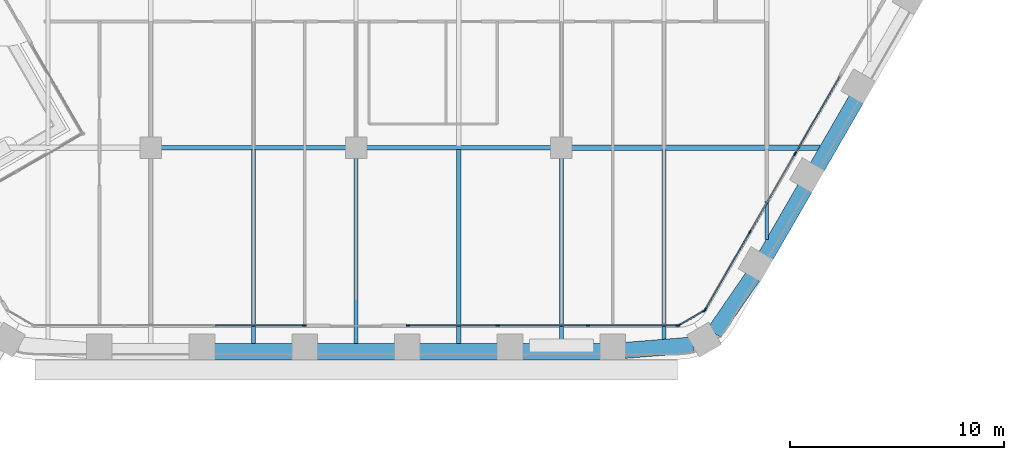
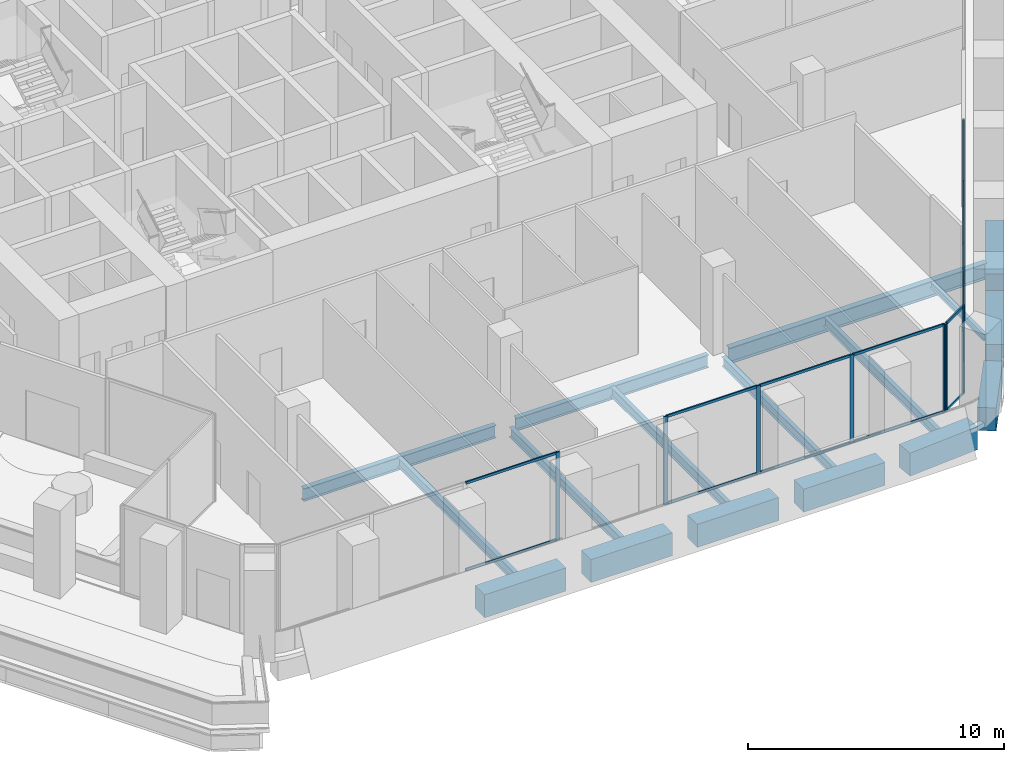
# One storey, part 4 of 27: 26 members, 17 beams, 4 elements without a shape of their own.
"""IFC4 building model written with IfcOpenShell, lengths in metres."""

from ifc_helpers import new_model, si_unit, direction, frame, origin, origin_2d, place, context, subcontext, project, spatial, rectangle, i_section, extrude, material, material_profile, profile_set, type_object, element, aggregate, save


model = new_model("IFC4")

# Units and contexts
model_context = context("Model", 3, precision=1e-05, world=origin(), true_north=direction((0.0, 1.0)))
body_context = subcontext(model_context, "Body", "Model", "MODEL_VIEW")
ifc_project = project(units=[si_unit("LENGTHUNIT", "METRE"), si_unit("AREAUNIT", "SQUARE_METRE"), si_unit("VOLUMEUNIT", "CUBIC_METRE"), si_unit("PLANEANGLEUNIT", "RADIAN"), si_unit("MASSUNIT", "GRAM", prefix="KILO")], contexts=[model_context])

# Site, building, storey
site_placement = place(None, origin())
site = spatial("IfcSite", under=ifc_project, at=site_placement, CompositionType="ELEMENT")
building_placement = place(site_placement, origin())
building = spatial("IfcBuilding", under=site, at=building_placement, Name="Kolab Exchange Tower", CompositionType="ELEMENT")
storey_placement = place(building_placement, frame((0.0, 0.0, 122.89990234375)))
storey = spatial("IfcBuildingStorey", under=building, at=storey_placement, Name="L24", CompositionType="ELEMENT", Elevation=122.89990234375)

# Beams
ifc_material_1 = material(Name="Steel S355", Category="steel")
ifc_material_profile_1 = material_profile(ifc_material_1, i_section(OverallWidth=0.1650390625, OverallDepth=0.31005859375, WebThickness=0.005859375, FlangeThickness=0.009765625, at=origin_2d()), Name="W310X39")
ifc_profile_set_1 = profile_set([ifc_material_profile_1], Name="Steel S355")
beam_type_1 = type_object("IfcBeamType", Name="FLOOR BEAM W310X39", PredefinedType="BEAM", material=ifc_profile_set_1)
beam_1_placement = place(storey_placement, frame((19.199951171875, -23.4814453125, -0.35498046875), z_axis=(0.0, 1.0, 0.0), x_axis=(-1.0, 0.0, 0.0)))
element("IfcBeam", 1, at=beam_1_placement, inside=storey, type_object=beam_type_1, Name="beam/L24/fr/040", PredefinedType="BEAM", context=body_context, shape_type="SweptSolid", body=[
    extrude(i_section(OverallWidth=0.1650390625, OverallDepth=0.31005859375, WebThickness=0.005859375, FlangeThickness=0.009765625, at=origin_2d()), origin(), (0.0, 0.0, 1.0), 4.18798828125),
])
ifc_material_profile_2 = material_profile(ifc_material_1, i_section(OverallWidth=0.18994140625, OverallDepth=0.45703125, WebThickness=0.009033203125, FlangeThickness=0.014404296875, at=origin_2d()), Name="W460X74")
ifc_profile_set_2 = profile_set([ifc_material_profile_2], Name="Steel S355")
beam_type_2 = type_object("IfcBeamType", Name="FLOOR BEAM W460X74", PredefinedType="BEAM", material=ifc_profile_set_2)
beam_2_placement = place(storey_placement, frame((-4.800048828125, -28.388427734375, -0.428466796875), z_axis=(0.0, 1.0, 0.0), x_axis=(-1.0, 0.0, 0.0)))
element("IfcBeam", 2, at=beam_2_placement, inside=storey, type_object=beam_type_2, Name="beam/L24/fr/020", PredefinedType="BEAM", context=body_context, shape_type="SweptSolid", body=[
    extrude(i_section(OverallWidth=0.18994140625, OverallDepth=0.45703125, WebThickness=0.009033203125, FlangeThickness=0.014404296875, at=origin_2d()), origin(), (0.0, 0.0, 1.0), 9.114501953125),
])
beam_3_placement = place(storey_placement, frame((0.0, -28.388427734375, -0.428466796875), z_axis=(0.0, 1.0, 0.0), x_axis=(-1.0, 0.0, 0.0)))
element("IfcBeam", 3, at=beam_3_placement, inside=storey, type_object=beam_type_2, Name="beam/L24/fr/024", PredefinedType="BEAM", context=body_context, shape_type="SweptSolid", body=[
    extrude(i_section(OverallWidth=0.18994140625, OverallDepth=0.45703125, WebThickness=0.009033203125, FlangeThickness=0.014404296875, at=origin_2d()), origin(), (0.0, 0.0, 1.0), 8.728515625),
])
beam_4_placement = place(storey_placement, frame((4.800048828125, -28.388427734375, -0.428466796875), z_axis=(0.0, 1.0, 0.0), x_axis=(-1.0, 0.0, 0.0)))
element("IfcBeam", 4, at=beam_4_placement, inside=storey, type_object=beam_type_2, Name="beam/L24/fr/028", PredefinedType="BEAM", context=body_context, shape_type="SweptSolid", body=[
    extrude(i_section(OverallWidth=0.18994140625, OverallDepth=0.45703125, WebThickness=0.009033203125, FlangeThickness=0.014404296875, at=origin_2d()), origin(), (0.0, 0.0, 1.0), 9.114501953125),
])
beam_5_placement = place(storey_placement, frame((9.60009765625, -28.388427734375, -0.428466796875), z_axis=(0.0, 1.0, 0.0), x_axis=(-1.0, 0.0, 0.0)))
element("IfcBeam", 5, at=beam_5_placement, inside=storey, type_object=beam_type_2, Name="beam/L24/fr/032", PredefinedType="BEAM", context=body_context, shape_type="SweptSolid", body=[
    extrude(i_section(OverallWidth=0.18994140625, OverallDepth=0.45703125, WebThickness=0.009033203125, FlangeThickness=0.014404296875, at=origin_2d()), origin(), (0.0, 0.0, 1.0), 8.728515625),
])
beam_6_placement = place(storey_placement, frame((14.39990234375, -28.194580078125, -0.428466796875), z_axis=(0.0, 1.0, 0.0), x_axis=(-1.0, 0.0, 0.0)))
element("IfcBeam", 6, at=beam_6_placement, inside=storey, type_object=beam_type_2, Name="beam/L24/fr/036", PredefinedType="BEAM", context=body_context, shape_type="SweptSolid", body=[
    extrude(i_section(OverallWidth=0.18994140625, OverallDepth=0.45703125, WebThickness=0.009033203125, FlangeThickness=0.014404296875, at=origin_2d()), origin(), (0.0, 0.0, 1.0), 8.901123046875),
])
ifc_material_profile_3 = material_profile(ifc_material_1, i_section(OverallWidth=0.22802734375, OverallDepth=0.60791015625, WebThickness=0.01123046875, FlangeThickness=0.017333984375, at=origin_2d()), Name="W610X113")
ifc_profile_set_3 = profile_set([ifc_material_profile_3], Name="Steel S355")
beam_type_3 = type_object("IfcBeamType", Name="FLOOR GIRDER W610X113", PredefinedType="BEAM", material=ifc_profile_set_3)
for number, where, z_axis, x_axis, name in (
    (7, (-9.139892578125, -19.199951171875, -0.50390625), (1.0, 0.0, 0.0), (0.0, 1.0, 0.0), "beam/L24/gd/008"),
    (8, (0.4599609375, -19.199951171875, -0.50390625), (1.0, 0.0, 0.0), (0.0, 1.0, 0.0), "beam/L24/gd/010"),
):
    element("IfcBeam", number, at=place(storey_placement, frame(where, z_axis=z_axis, x_axis=x_axis)), inside=storey, type_object=beam_type_3, Name=name, PredefinedType="BEAM", context=body_context, shape_type="SweptSolid", body=[
        extrude(i_section(OverallWidth=0.22802734375, OverallDepth=0.60791015625, WebThickness=0.01123046875, FlangeThickness=0.017333984375, at=origin_2d()), origin(), (0.0, 0.0, 1.0), 8.679931640625),
    ])
ifc_material_profile_4 = material_profile(ifc_material_1, i_section(OverallWidth=0.26708984375, OverallDepth=0.761962890625, WebThickness=0.014404296875, FlangeThickness=0.021484375, at=origin_2d()), Name="W760X173")
ifc_profile_set_4 = profile_set([ifc_material_profile_4], Name="Steel S355")
beam_type_4 = type_object("IfcBeamType", Name="FLOOR GIRDER W760X173", PredefinedType="BEAM", material=ifc_profile_set_4)
beam_7_placement = place(storey_placement, frame((10.06005859375, -19.199951171875, -0.580810546875), z_axis=(1.0, 0.0, 0.0), x_axis=(0.0, 1.0, 0.0)))
element("IfcBeam", 9, at=beam_7_placement, inside=storey, type_object=beam_type_4, Name="beam/L24/gd/012", PredefinedType="BEAM", context=body_context, shape_type="SweptSolid", body=[
    extrude(i_section(OverallWidth=0.26708984375, OverallDepth=0.761962890625, WebThickness=0.014404296875, FlangeThickness=0.021484375, at=origin_2d()), origin(), (0.0, 0.0, 1.0), 11.628662109375),
])
ifc_material_2 = material(Name="Concrete C70/85", Category="concrete")
ifc_material_profile_5 = material_profile(ifc_material_2, rectangle(XDim=0.75, YDim=1.10009765625, at=origin_2d()), Name="RC750X1100")
ifc_profile_set_5 = profile_set([ifc_material_profile_5], Name="Concrete C70/85")
beam_type_5 = type_object("IfcBeamType", Name="SPANDREL BEAM 750X1100 C70/85", PredefinedType="BEAM", material=ifc_profile_set_5)
for number, where, z_axis, x_axis, name in (
    (10, (23.395263671875, -16.925048828125, -0.75), (-0.500013413428, -0.866017659399, 0.0), (0.866017659399, -0.500013413428, 0.0), "beam/L24/sp/F3-05"),
    (11, (20.995361328125, -21.08203125, -0.75), (-0.500013413428, -0.866017659399, 0.0), (0.866017659399, -0.500013413428, 0.0), "beam/L24/sp/F3-06"),
):
    element("IfcBeam", number, at=place(storey_placement, frame(where, z_axis=z_axis, x_axis=x_axis)), inside=storey, type_object=beam_type_5, Name=name, PredefinedType="BEAM", context=body_context, shape_type="SweptSolid", body=[
        extrude(rectangle(XDim=0.75, YDim=1.10009765625, at=origin_2d()), origin(), (0.0, 0.0, 1.0), 3.68017578125),
    ])
for number, where, z_axis, x_axis, name in (
    (12, (18.55615234375, -25.216552734375, -0.75), (-0.567661826262, -0.823261836237, 0.0), (0.823261836237, -0.567661826262, 0.0), "beam/L24/sp/F3-07"),
    (13, (15.75830078125, -28.421630859375, -0.75), (-0.996791038408, -0.080047646748, 0.0), (0.080047646748, -0.996791038408, 0.0), "beam/L24/sp/F4-01"),
):
    element("IfcBeam", number, at=place(storey_placement, frame(where, z_axis=z_axis, x_axis=x_axis)), inside=storey, type_object=beam_type_5, Name=name, PredefinedType="BEAM", context=body_context, shape_type="SweptSolid", body=[
        extrude(rectangle(XDim=0.75, YDim=1.10009765625, at=origin_2d()), origin(), (0.0, 0.0, 1.0), 3.20849609375),
    ])
for number, where, z_axis, x_axis, name in (
    (14, (11.43994140625, -28.723388671875, -0.75), (-1.0, 0.0, 0.0), (0.0, -1.0, 0.0), "beam/L24/sp/F4-02"),
    (15, (6.639892578125, -28.723388671875, -0.75), (-1.0, 0.0, 0.0), (0.0, -1.0, 0.0), "beam/L24/sp/F4-03"),
):
    element("IfcBeam", number, at=place(storey_placement, frame(where, z_axis=z_axis, x_axis=x_axis)), inside=storey, type_object=beam_type_5, Name=name, PredefinedType="BEAM", context=body_context, shape_type="SweptSolid", body=[
        extrude(rectangle(XDim=0.75, YDim=1.10009765625, at=origin_2d()), origin(), (0.0, 0.0, 1.0), 3.679931640625),
    ])
beam_8_placement = place(storey_placement, frame((1.840087890625, -28.723388671875, -0.75), z_axis=(-1.0, 0.0, 0.0), x_axis=(0.0, -1.0, 0.0)))
element("IfcBeam", 16, at=beam_8_placement, inside=storey, type_object=beam_type_5, Name="beam/L24/sp/F4-04", PredefinedType="BEAM", context=body_context, shape_type="SweptSolid", body=[
    extrude(rectangle(XDim=0.75, YDim=1.10009765625, at=origin_2d()), origin(), (0.0, 0.0, 1.0), 3.68017578125),
])
beam_9_placement = place(storey_placement, frame((-2.9599609375, -28.723388671875, -0.75), z_axis=(-1.0, 0.0, 0.0), x_axis=(0.0, -1.0, 0.0)))
element("IfcBeam", 17, at=beam_9_placement, inside=storey, type_object=beam_type_5, Name="beam/L24/sp/F4-05", PredefinedType="BEAM", context=body_context, shape_type="SweptSolid", body=[
    extrude(rectangle(XDim=0.75, YDim=1.10009765625, at=origin_2d()), origin(), (0.0, 0.0, 1.0), 3.679931640625),
])

# Curtain wall, members
ifc_material_3 = material(Name="Aluminium EN AW-6063 T6", Category="aluminium")
curtain_wall_type = type_object("IfcCurtainWallType", Name="UNITISED LOWER MID ZONE CURTAIN WALL", PredefinedType="NOTDEFINED", material=ifc_material_3)
curtain_wall_1_placement = place(storey_placement, origin())
curtain_wall_1 = element("IfcCurtainWall", 18, at=curtain_wall_1_placement, inside=storey, type_object=curtain_wall_type, Name="cw/L24/F3-2", PredefinedType="NOTDEFINED")
ifc_material_profile_6 = material_profile(ifc_material_3, rectangle(XDim=0.06005859375, YDim=0.179931640625, at=origin_2d()), Name="RECT 60X180")
ifc_profile_set_6 = profile_set([ifc_material_profile_6], Name="Aluminium EN AW-6063 T6")
member_type_1 = type_object("IfcMemberType", Name="UNITISED LOWER MID ZONE MULLION 60 X 180", PredefinedType="MULLION", material=ifc_profile_set_6)
member_1_placement = place(storey_placement, frame((20.520263671875, -19.49462890625, 0.0), z_axis=(0.0, 0.0, 1.0), x_axis=(0.866025393644, -0.500000017564, 0.0)))
member_1 = element("IfcMember", 19, at=member_1_placement, type_object=member_type_1, Name="CW2 mullion 2", PredefinedType="MULLION", context=body_context, shape_type="SweptSolid", body=[
    extrude(rectangle(XDim=0.06005859375, YDim=0.179931640625, at=origin_2d()), origin(), (0.0, 0.0, 1.0), 4.2001953125),
])
member_2_placement = place(storey_placement, frame((18.408935546875, -23.151611328125, 0.0), z_axis=(0.0, 0.0, 1.0), x_axis=(0.866025393644, -0.500000017564, 0.0)))
member_2 = element("IfcMember", 20, at=member_2_placement, type_object=member_type_1, Name="CW2 mullion 3", PredefinedType="MULLION", context=body_context, shape_type="SweptSolid", body=[
    extrude(rectangle(XDim=0.06005859375, YDim=0.179931640625, at=origin_2d()), origin(), (0.0, 0.0, 1.0), 4.2001953125),
])
member_3_placement = place(storey_placement, frame((16.312744140625, -26.782470703125, 0.0), z_axis=(0.0, 0.0, 1.0), x_axis=(0.866025393644, -0.500000017564, 0.0)))
member_3 = element("IfcMember", 21, at=member_3_placement, type_object=member_type_1, Name="CW2 mullion 4", PredefinedType="MULLION", context=body_context, shape_type="SweptSolid", body=[
    extrude(rectangle(XDim=0.06005859375, YDim=0.179931640625, at=origin_2d()), origin(), (0.0, 0.0, 1.0), 4.2001953125),
])

curtain_wall_2_placement = place(storey_placement, origin())
curtain_wall_2 = element("IfcCurtainWall", 22, at=curtain_wall_2_placement, inside=storey, type_object=curtain_wall_type, Name="cw/L24/F4-1", PredefinedType="NOTDEFINED")
member_4_placement = place(storey_placement, frame((15.037841796875, -27.5185546875, 0.0), z_axis=(0.0, 0.0, 1.0), x_axis=(0.0, -1.0, 0.0)))
member_4 = element("IfcMember", 23, at=member_4_placement, type_object=member_type_1, Name="CW2 mullion 1", PredefinedType="MULLION", context=body_context, shape_type="SweptSolid", body=[
    extrude(rectangle(XDim=0.06005859375, YDim=0.179931640625, at=origin_2d()), origin(), (0.0, 0.0, 1.0), 4.2001953125),
])
member_5_placement = place(storey_placement, frame((10.84521484375, -27.5185546875, 0.0), z_axis=(0.0, 0.0, 1.0), x_axis=(0.0, -1.0, 0.0)))
member_5 = element("IfcMember", 24, at=member_5_placement, type_object=member_type_1, Name="CW2 mullion 2", PredefinedType="MULLION", context=body_context, shape_type="SweptSolid", body=[
    extrude(rectangle(XDim=0.06005859375, YDim=0.179931640625, at=origin_2d()), origin(), (0.0, 0.0, 1.0), 4.2001953125),
])
member_6_placement = place(storey_placement, frame((6.62255859375, -27.5185546875, 0.0), z_axis=(0.0, 0.0, 1.0), x_axis=(0.0, -1.0, 0.0)))
member_6 = element("IfcMember", 25, at=member_6_placement, type_object=member_type_1, Name="CW2 mullion 3", PredefinedType="MULLION", context=body_context, shape_type="SweptSolid", body=[
    extrude(rectangle(XDim=0.06005859375, YDim=0.179931640625, at=origin_2d()), origin(), (0.0, 0.0, 1.0), 4.2001953125),
])
member_7_placement = place(storey_placement, frame((2.429931640625, -27.5185546875, 0.0), z_axis=(0.0, 0.0, 1.0), x_axis=(0.0, -1.0, 0.0)))
member_7 = element("IfcMember", 26, at=member_7_placement, type_object=member_type_1, Name="CW2 mullion 4", PredefinedType="MULLION", context=body_context, shape_type="SweptSolid", body=[
    extrude(rectangle(XDim=0.06005859375, YDim=0.179931640625, at=origin_2d()), origin(), (0.0, 0.0, 1.0), 4.2001953125),
])

# Curtain wall, member
curtain_wall_3_placement = place(storey_placement, origin())
curtain_wall_3 = element("IfcCurtainWall", 27, at=curtain_wall_3_placement, inside=storey, type_object=curtain_wall_type, Name="cw/L24/F4-2", PredefinedType="NOTDEFINED")
member_8_placement = place(storey_placement, frame((-2.429931640625, -27.5185546875, 0.0), z_axis=(0.0, 0.0, 1.0), x_axis=(0.0, -1.0, 0.0)))
member_8 = element("IfcMember", 28, at=member_8_placement, type_object=member_type_1, Name="CW2 mullion 1", PredefinedType="MULLION", context=body_context, shape_type="SweptSolid", body=[
    extrude(rectangle(XDim=0.06005859375, YDim=0.179931640625, at=origin_2d()), origin(), (0.0, 0.0, 1.0), 4.2001953125),
])

# Curtain wall, members
curtain_wall_4_placement = place(storey_placement, origin())
curtain_wall_4 = element("IfcCurtainWall", 29, at=curtain_wall_4_placement, inside=storey, type_object=curtain_wall_type, Name="cw/L24/F3F4-corner", PredefinedType="NOTDEFINED")
member_9_placement = place(storey_placement, frame((16.271728515625, -26.823486328125, 0.0), z_axis=(0.0, 0.0, 1.0), x_axis=(0.50000002237, -0.866025390869, 0.0)))
member_9 = element("IfcMember", 30, at=member_9_placement, type_object=member_type_1, Name="CW2 mullion 1", PredefinedType="MULLION", context=body_context, shape_type="SweptSolid", body=[
    extrude(rectangle(XDim=0.06005859375, YDim=0.179931640625, at=origin_2d()), origin(), (0.0, 0.0, 1.0), 4.2001953125),
])
member_10_placement = place(storey_placement, frame((15.093994140625, -27.50341796875, 0.0), z_axis=(0.0, 0.0, 1.0), x_axis=(0.50000002237, -0.866025390869, 0.0)))
member_10 = element("IfcMember", 31, at=member_10_placement, type_object=member_type_1, Name="CW2 mullion 2", PredefinedType="MULLION", context=body_context, shape_type="SweptSolid", body=[
    extrude(rectangle(XDim=0.06005859375, YDim=0.179931640625, at=origin_2d()), origin(), (0.0, 0.0, 1.0), 4.2001953125),
])

# Member
ifc_material_profile_7 = material_profile(ifc_material_3, rectangle(XDim=0.06005859375, YDim=0.1201171875, at=origin_2d()), Name="RECT 60X120")
ifc_profile_set_7 = profile_set([ifc_material_profile_7], Name="Aluminium EN AW-6063 T6")
member_type_2 = type_object("IfcMemberType", Name="UNITISED LOWER MID ZONE TRANSOM 60 X 120", PredefinedType="USERDEFINED", material=ifc_profile_set_7)
member_11_placement = place(storey_placement, frame((22.6015625, -15.8896484375, 0.030029296875), z_axis=(-0.499957688808, -0.866049830784, 0.0), x_axis=(0.866049830784, -0.499957688808, 0.0)))
member_11 = element("IfcMember", 32, at=member_11_placement, type_object=member_type_2, Name="CW2 transom 1.1", ObjectType="TRANSOM", PredefinedType="USERDEFINED", context=body_context, shape_type="SweptSolid", body=[
    extrude(rectangle(XDim=0.06005859375, YDim=0.1201171875, at=origin_2d()), origin(), (0.0, 0.0, 1.0), 4.132568359375),
])

member_12_placement = place(storey_placement, frame((22.6015625, -15.8896484375, 4.170166015625), z_axis=(-0.499957688808, -0.866049830784, 0.0), x_axis=(0.866049830784, -0.499957688808, 0.0)))
member_12 = element("IfcMember", 33, at=member_12_placement, type_object=member_type_2, Name="CW2 transom 1.2", ObjectType="TRANSOM", PredefinedType="USERDEFINED", context=body_context, shape_type="SweptSolid", body=[
    extrude(rectangle(XDim=0.06005859375, YDim=0.1201171875, at=origin_2d()), origin(), (0.0, 0.0, 1.0), 4.132568359375),
])

member_13_placement = place(storey_placement, frame((20.50537109375, -19.5205078125, 0.030029296875), z_axis=(-0.49999322259, -0.866029316688, 0.0), x_axis=(0.866029316688, -0.49999322259, 0.0)))
member_13 = element("IfcMember", 34, at=member_13_placement, type_object=member_type_2, Name="CW2 transom 2.1", ObjectType="TRANSOM", PredefinedType="USERDEFINED", context=body_context, shape_type="SweptSolid", body=[
    extrude(rectangle(XDim=0.06005859375, YDim=0.1201171875, at=origin_2d()), origin(), (0.0, 0.0, 1.0), 4.16259765625),
])

member_14_placement = place(storey_placement, frame((20.50537109375, -19.5205078125, 4.170166015625), z_axis=(-0.49999322259, -0.866029316688, 0.0), x_axis=(0.866029316688, -0.49999322259, 0.0)))
member_14 = element("IfcMember", 35, at=member_14_placement, type_object=member_type_2, Name="CW2 transom 2.2", ObjectType="TRANSOM", PredefinedType="USERDEFINED", context=body_context, shape_type="SweptSolid", body=[
    extrude(rectangle(XDim=0.06005859375, YDim=0.1201171875, at=origin_2d()), origin(), (0.0, 0.0, 1.0), 4.16259765625),
])

member_15_placement = place(storey_placement, frame((18.39404296875, -23.177490234375, 0.030029296875), z_axis=(-0.500001996123, -0.866024251319, 0.0), x_axis=(0.866024251319, -0.500001996123, 0.0)))
member_15 = element("IfcMember", 36, at=member_15_placement, type_object=member_type_2, Name="CW2 transom 3.1", ObjectType="TRANSOM", PredefinedType="USERDEFINED", context=body_context, shape_type="SweptSolid", body=[
    extrude(rectangle(XDim=0.06005859375, YDim=0.1201171875, at=origin_2d()), origin(), (0.0, 0.0, 1.0), 4.1328125),
])

member_16_placement = place(storey_placement, frame((18.39404296875, -23.177490234375, 4.170166015625), z_axis=(-0.500001996123, -0.866024251319, 0.0), x_axis=(0.866024251319, -0.500001996123, 0.0)))
member_16 = element("IfcMember", 37, at=member_16_placement, type_object=member_type_2, Name="CW2 transom 3.2", ObjectType="TRANSOM", PredefinedType="USERDEFINED", context=body_context, shape_type="SweptSolid", body=[
    extrude(rectangle(XDim=0.06005859375, YDim=0.1201171875, at=origin_2d()), origin(), (0.0, 0.0, 1.0), 4.1328125),
])

aggregate(curtain_wall_1, [member_1, member_2, member_3, member_11, member_12, member_13, member_14, member_15, member_16])

member_17_placement = place(storey_placement, frame((15.008056640625, -27.5185546875, 0.030029296875), z_axis=(-1.0, 0.0, 0.0), x_axis=(0.0, -1.0, 0.0)))
member_17 = element("IfcMember", 38, at=member_17_placement, type_object=member_type_2, Name="CW2 transom 1.1", ObjectType="TRANSOM", PredefinedType="USERDEFINED", context=body_context, shape_type="SweptSolid", body=[
    extrude(rectangle(XDim=0.06005859375, YDim=0.1201171875, at=origin_2d()), origin(), (0.0, 0.0, 1.0), 4.1328125),
])

member_18_placement = place(storey_placement, frame((15.008056640625, -27.5185546875, 4.170166015625), z_axis=(-1.0, 0.0, 0.0), x_axis=(0.0, -1.0, 0.0)))
member_18 = element("IfcMember", 39, at=member_18_placement, type_object=member_type_2, Name="CW2 transom 1.2", ObjectType="TRANSOM", PredefinedType="USERDEFINED", context=body_context, shape_type="SweptSolid", body=[
    extrude(rectangle(XDim=0.06005859375, YDim=0.1201171875, at=origin_2d()), origin(), (0.0, 0.0, 1.0), 4.1328125),
])

member_19_placement = place(storey_placement, frame((10.815185546875, -27.5185546875, 0.030029296875), z_axis=(-1.0, 0.0, 0.0), x_axis=(0.0, -1.0, 0.0)))
member_19 = element("IfcMember", 40, at=member_19_placement, type_object=member_type_2, Name="CW2 transom 2.1", ObjectType="TRANSOM", PredefinedType="USERDEFINED", context=body_context, shape_type="SweptSolid", body=[
    extrude(rectangle(XDim=0.06005859375, YDim=0.1201171875, at=origin_2d()), origin(), (0.0, 0.0, 1.0), 4.16259765625),
])

member_20_placement = place(storey_placement, frame((10.815185546875, -27.5185546875, 4.170166015625), z_axis=(-1.0, 0.0, 0.0), x_axis=(0.0, -1.0, 0.0)))
member_20 = element("IfcMember", 41, at=member_20_placement, type_object=member_type_2, Name="CW2 transom 2.2", ObjectType="TRANSOM", PredefinedType="USERDEFINED", context=body_context, shape_type="SweptSolid", body=[
    extrude(rectangle(XDim=0.06005859375, YDim=0.1201171875, at=origin_2d()), origin(), (0.0, 0.0, 1.0), 4.16259765625),
])

member_21_placement = place(storey_placement, frame((6.592529296875, -27.5185546875, 0.030029296875), z_axis=(-1.0, 0.0, 0.0), x_axis=(0.0, -1.0, 0.0)))
member_21 = element("IfcMember", 42, at=member_21_placement, type_object=member_type_2, Name="CW2 transom 3.1", ObjectType="TRANSOM", PredefinedType="USERDEFINED", context=body_context, shape_type="SweptSolid", body=[
    extrude(rectangle(XDim=0.06005859375, YDim=0.1201171875, at=origin_2d()), origin(), (0.0, 0.0, 1.0), 4.132568359375),
])

member_22_placement = place(storey_placement, frame((6.592529296875, -27.5185546875, 4.170166015625), z_axis=(-1.0, 0.0, 0.0), x_axis=(0.0, -1.0, 0.0)))
member_22 = element("IfcMember", 43, at=member_22_placement, type_object=member_type_2, Name="CW2 transom 3.2", ObjectType="TRANSOM", PredefinedType="USERDEFINED", context=body_context, shape_type="SweptSolid", body=[
    extrude(rectangle(XDim=0.06005859375, YDim=0.1201171875, at=origin_2d()), origin(), (0.0, 0.0, 1.0), 4.132568359375),
])

aggregate(curtain_wall_2, [member_4, member_5, member_6, member_7, member_17, member_18, member_19, member_20, member_21, member_22])

member_23_placement = place(storey_placement, frame((-2.4599609375, -27.5185546875, 0.030029296875), z_axis=(-1.0, 0.0, 0.0), x_axis=(0.0, -1.0, 0.0)))
member_23 = element("IfcMember", 44, at=member_23_placement, type_object=member_type_2, Name="CW2 transom 1.1", ObjectType="TRANSOM", PredefinedType="USERDEFINED", context=body_context, shape_type="SweptSolid", body=[
    extrude(rectangle(XDim=0.06005859375, YDim=0.1201171875, at=origin_2d()), origin(), (0.0, 0.0, 1.0), 4.132568359375),
])

member_24_placement = place(storey_placement, frame((-2.4599609375, -27.5185546875, 4.170166015625), z_axis=(-1.0, 0.0, 0.0), x_axis=(0.0, -1.0, 0.0)))
member_24 = element("IfcMember", 45, at=member_24_placement, type_object=member_type_2, Name="CW2 transom 1.2", ObjectType="TRANSOM", PredefinedType="USERDEFINED", context=body_context, shape_type="SweptSolid", body=[
    extrude(rectangle(XDim=0.06005859375, YDim=0.1201171875, at=origin_2d()), origin(), (0.0, 0.0, 1.0), 4.132568359375),
])

aggregate(curtain_wall_3, [member_8, member_23, member_24])

member_25_placement = place(storey_placement, frame((16.245849609375, -26.83837890625, 0.030029296875), z_axis=(-0.866004217611, -0.500036693733, 0.0), x_axis=(0.500036693733, -0.866004217611, 0.0)))
member_25 = element("IfcMember", 46, at=member_25_placement, type_object=member_type_2, Name="CW2 transom 1.1", ObjectType="TRANSOM", PredefinedType="USERDEFINED", context=body_context, shape_type="SweptSolid", body=[
    extrude(rectangle(XDim=0.06005859375, YDim=0.1201171875, at=origin_2d()), origin(), (0.0, 0.0, 1.0), 1.30029296875),
])

member_26_placement = place(storey_placement, frame((16.245849609375, -26.83837890625, 4.170166015625), z_axis=(-0.866004217611, -0.500036693733, 0.0), x_axis=(0.500036693733, -0.866004217611, 0.0)))
member_26 = element("IfcMember", 47, at=member_26_placement, type_object=member_type_2, Name="CW2 transom 1.2", ObjectType="TRANSOM", PredefinedType="USERDEFINED", context=body_context, shape_type="SweptSolid", body=[
    extrude(rectangle(XDim=0.06005859375, YDim=0.1201171875, at=origin_2d()), origin(), (0.0, 0.0, 1.0), 1.30029296875),
])

aggregate(curtain_wall_4, [member_9, member_10, member_25, member_26])

save(model, "model.ifc")
